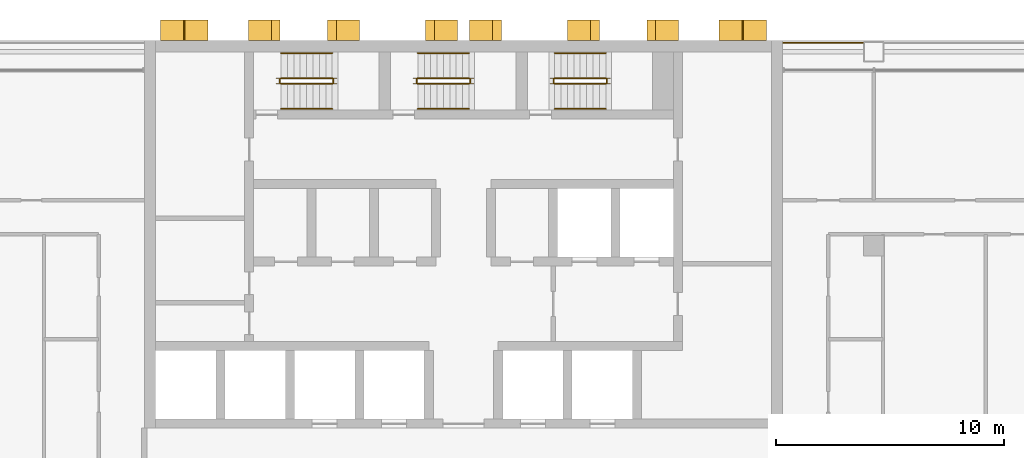
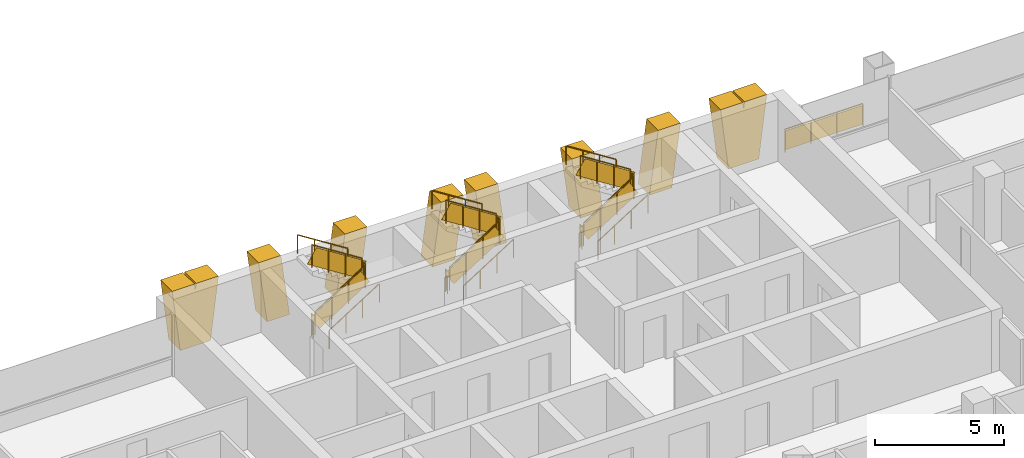
# One storey, part 17 of 18: 19 railings, 8 shading devices.
"""IFC4 building model written with IfcOpenShell, lengths in metres."""

from ifc_helpers import new_model, si_unit, direction, frame, origin, origin_2d, place, context, subcontext, project, spatial, polyline, rectangle, circle, outline, extrude, material, layer, layer_set, type_object, element, save


model = new_model("IFC4")

# Units and contexts
model_context = context("Model", 3, precision=1e-05, world=origin(), true_north=direction((0.0, 1.0)))
body_context = subcontext(model_context, "Body", "Model", "MODEL_VIEW")
ifc_project = project(units=[si_unit("LENGTHUNIT", "METRE"), si_unit("AREAUNIT", "SQUARE_METRE"), si_unit("VOLUMEUNIT", "CUBIC_METRE"), si_unit("PLANEANGLEUNIT", "RADIAN"), si_unit("MASSUNIT", "GRAM", prefix="KILO")], contexts=[model_context])

# Site, building, storey
site_placement = place(None, origin())
site = spatial("IfcSite", under=ifc_project, at=site_placement, CompositionType="ELEMENT")
building_placement = place(site_placement, origin())
building = spatial("IfcBuilding", under=site, at=building_placement, Name="Vidyagriha Tower", CompositionType="ELEMENT")
storey_placement = place(building_placement, frame((0.0, 0.0, 90.300048828125)))
storey = spatial("IfcBuildingStorey", under=building, at=storey_placement, Name="L23", CompositionType="ELEMENT", Elevation=90.300048828125)

# Shading devices
ifc_material_1 = material(Name="Precast concrete C40/50 with brick facing", Category="concrete")
ifc_layer_1 = layer(ifc_material_1, 1.0)
ifc_layer_set_1 = layer_set([ifc_layer_1], Name="Precast concrete C40/50 with brick facing")
shading_device_type_1 = type_object("IfcShadingDeviceType", Name="Brick-faced rear rib arm leaning 8 degrees", PredefinedType="USERDEFINED", material=ifc_layer_set_1)
shading_device_1_placement = place(storey_placement, frame((5.95703125, 20.449951171875, 0.0), z_axis=(0.0, 0.0, 1.0), x_axis=(-1.0, 0.0, 0.0)))
element("IfcShadingDevice", 1, at=shading_device_1_placement, inside=storey, type_object=shading_device_type_1, Name="Rear rib arm L23 R08.2a", ObjectType="BLADE FIN", PredefinedType="USERDEFINED", context=body_context, shape_type="SweptSolid", body=[
    extrude(outline(polyline([(0.0, 0.0), (1.0, 0.0), (1.3857421875, 2.919921875), (0.3857421875, 2.919921875), (0.0, 0.0)])), frame((0.0, 0.449951171875, 0.0), z_axis=(0.0, -1.0, 0.0), x_axis=(1.0, 0.0, 0.0)), (0.0, 0.0, 1.0), 0.89990234375),
])
shading_device_2_placement = place(storey_placement, frame((9.4287109375, 20.449951171875, 0.0), z_axis=(0.0, 0.0, 1.0), x_axis=(-1.0, 0.0, 0.0)))
element("IfcShadingDevice", 2, at=shading_device_2_placement, inside=storey, type_object=shading_device_type_1, Name="Rear rib arm L23 R08.2b", ObjectType="BLADE FIN", PredefinedType="USERDEFINED", context=body_context, shape_type="SweptSolid", body=[
    extrude(outline(polyline([(0.3857421875, 0.0), (1.3857421875, 0.0), (1.0, 2.919921875), (0.0, 2.919921875), (0.3857421875, 0.0)])), frame((0.0, 0.449951171875, 0.0), z_axis=(0.0, -1.0, 0.0), x_axis=(1.0, 0.0, 0.0)), (0.0, 0.0, 1.0), 0.89990234375),
])
shading_device_3_placement = place(storey_placement, frame((1.656982421875, 20.449951171875, 0.0), z_axis=(0.0, 0.0, 1.0), x_axis=(-1.0, 0.0, 0.0)))
element("IfcShadingDevice", 3, at=shading_device_3_placement, inside=storey, type_object=shading_device_type_1, Name="Rear rib arm L23 R08.3a", ObjectType="BLADE FIN", PredefinedType="USERDEFINED", context=body_context, shape_type="SweptSolid", body=[
    extrude(outline(polyline([(0.0, 0.0), (1.0, 0.0), (1.3857421875, 2.919921875), (0.3857421875, 2.919921875), (0.0, 0.0)])), frame((0.0, 0.449951171875, 0.0), z_axis=(0.0, -1.0, 0.0), x_axis=(1.0, 0.0, 0.0)), (0.0, 0.0, 1.0), 0.89990234375),
])
shading_device_4_placement = place(storey_placement, frame((-0.271484375, 20.449951171875, 0.0), z_axis=(0.0, 0.0, 1.0), x_axis=(-1.0, 0.0, 0.0)))
element("IfcShadingDevice", 4, at=shading_device_4_placement, inside=storey, type_object=shading_device_type_1, Name="Rear rib arm L23 R08.3b", ObjectType="BLADE FIN", PredefinedType="USERDEFINED", context=body_context, shape_type="SweptSolid", body=[
    extrude(outline(polyline([(0.3857421875, 0.0), (1.3857421875, 0.0), (1.0, 2.919921875), (0.0, 2.919921875), (0.3857421875, 0.0)])), frame((0.0, 0.449951171875, 0.0), z_axis=(0.0, -1.0, 0.0), x_axis=(1.0, 0.0, 0.0)), (0.0, 0.0, 1.0), 0.89990234375),
])
shading_device_5_placement = place(storey_placement, frame((-8.04296875, 20.449951171875, 0.0), z_axis=(0.0, 0.0, 1.0), x_axis=(-1.0, 0.0, 0.0)))
element("IfcShadingDevice", 5, at=shading_device_5_placement, inside=storey, type_object=shading_device_type_1, Name="Rear rib arm L23 R08.4a", ObjectType="BLADE FIN", PredefinedType="USERDEFINED", context=body_context, shape_type="SweptSolid", body=[
    extrude(outline(polyline([(0.0, 0.0), (1.0, 0.0), (1.3857421875, 2.919921875), (0.3857421875, 2.919921875), (0.0, 0.0)])), frame((0.0, 0.449951171875, 0.0), z_axis=(0.0, -1.0, 0.0), x_axis=(1.0, 0.0, 0.0)), (0.0, 0.0, 1.0), 0.89990234375),
])
shading_device_6_placement = place(storey_placement, frame((-4.5712890625, 20.449951171875, 0.0), z_axis=(0.0, 0.0, 1.0), x_axis=(-1.0, 0.0, 0.0)))
element("IfcShadingDevice", 6, at=shading_device_6_placement, inside=storey, type_object=shading_device_type_1, Name="Rear rib arm L23 R08.4b", ObjectType="BLADE FIN", PredefinedType="USERDEFINED", context=body_context, shape_type="SweptSolid", body=[
    extrude(outline(polyline([(0.3857421875, 0.0), (1.3857421875, 0.0), (1.0, 2.919921875), (0.0, 2.919921875), (0.3857421875, 0.0)])), frame((0.0, 0.449951171875, 0.0), z_axis=(0.0, -1.0, 0.0), x_axis=(1.0, 0.0, 0.0)), (0.0, 0.0, 1.0), 0.89990234375),
])
ifc_material_2 = material(Name="Precast concrete C40/50 with brick facing", Category="concrete")
ifc_layer_2 = layer(ifc_material_2, 1.0)
ifc_layer_set_2 = layer_set([ifc_layer_2], Name="Precast concrete C40/50 with brick facing")
shading_device_type_2 = type_object("IfcShadingDeviceType", Name="Brick-faced rear rib forking 8 degrees", PredefinedType="USERDEFINED", material=ifc_layer_set_2)
for number, where, z_axis, x_axis, name in (
    (7, (13.28564453125, 20.449951171875, 0.0), (0.0, 0.0, 1.0), (-1.0, 0.0, 0.0), "Rear rib fork L23 R08.1a"),
    (8, (-11.21435546875, 20.449951171875, 0.0), (0.0, 0.0, 1.0), (-1.0, 0.0, 0.0), "Rear rib fork L23 R08.5a"),
):
    element("IfcShadingDevice", number, at=place(storey_placement, frame(where, z_axis=z_axis, x_axis=x_axis)), inside=storey, type_object=shading_device_type_2, Name=name, ObjectType="BLADE FIN", PredefinedType="USERDEFINED", context=body_context, shape_type="SweptSolid", body=[
        extrude(outline(polyline([(0.357177734375, 0.0), (1.71435546875, 0.0), (2.0712890625, 2.919921875), (1.0712890625, 2.919921875), (1.03564453125, 2.6279296875), (1.0, 2.919921875), (0.0, 2.919921875), (0.357177734375, 0.0)])), frame((0.0, 0.449951171875, 0.0), z_axis=(0.0, -1.0, 0.0), x_axis=(1.0, 0.0, 0.0)), (0.0, 0.0, 1.0), 0.89990234375),
    ])

# Railings
ifc_material_3 = material(Name="Steel ASTM A500 Grade C black painted", Category="steel")
railing_type_1 = type_object("IfcRailingType", Name="Gallery guard 1100", PredefinedType="GUARDRAIL", material=ifc_material_3)
railing_1_placement = place(storey_placement, frame((14.030029296875, 19.89990234375, 0.0)))
element("IfcRailing", 9, at=railing_1_placement, inside=storey, type_object=railing_type_1, Name="Gallery guard L23 9", PredefinedType="GUARDRAIL", context=body_context, shape_type="SweptSolid", body=[
    extrude(circle(Radius=0.02490234375, at=origin_2d()), frame((0.0, 0.0, 1.0751953125), z_axis=(1.0, 0.0, 0.0), x_axis=(0.0, 1.0, 0.0)), (0.0, 0.0, 1.0), 3.489990234375),
    extrude(circle(Radius=0.02001953125, at=origin_2d()), origin(), (0.0, 0.0, 1.0), 1.050048828125),
    extrude(circle(Radius=0.02001953125, at=origin_2d()), frame((1.163330078125, 0.0, 0.0)), (0.0, 0.0, 1.0), 1.050048828125),
    extrude(circle(Radius=0.02001953125, at=origin_2d()), frame((2.32666015625, 0.0, 0.0)), (0.0, 0.0, 1.0), 1.050048828125),
    extrude(circle(Radius=0.02001953125, at=origin_2d()), frame((3.489990234375, 0.0, 0.0)), (0.0, 0.0, 1.0), 1.050048828125),
    extrude(rectangle(XDim=0.010009765625, YDim=0.900146484375, at=origin_2d()), frame((0.0, 0.0, 0.550048828125), z_axis=(1.0, 0.0, 0.0), x_axis=(0.0, 1.0, 0.0)), (0.0, 0.0, 1.0), 3.489990234375),
])
ifc_material_4 = material(Name="Steel ASTM A500 Grade C", Category="steel")
railing_type_2 = type_object("IfcRailingType", Name="Stair guard 1100 mm, steel balustrade", PredefinedType="GUARDRAIL", material=ifc_material_4)
railing_2_placement = place(storey_placement, frame((-8.0, 18.10009765625, 0.177734375)))
element("IfcRailing", 10, at=railing_2_placement, inside=storey, type_object=railing_type_2, Name="L23 ST1 stair guard 1", PredefinedType="GUARDRAIL", context=body_context, shape_type="SweptSolid", body=[
    extrude(circle(Radius=0.02392578125, at=origin_2d()), frame((0.0, 0.0, 1.076171875), z_axis=(0.8442293374, 0.0, 0.53598211339), x_axis=(0.0, 1.0, 0.0)), (0.0, 0.0, 1.0), 2.6533203125),
    extrude(circle(Radius=0.02099609375, at=origin_2d()), origin(), (0.0, 0.0, 1.0), 1.052001953125),
    extrude(circle(Radius=0.02099609375, at=origin_2d()), frame((0.74658203125, 0.0, 0.47412109375)), (0.0, 0.0, 1.0), 1.052001953125),
    extrude(circle(Radius=0.02099609375, at=origin_2d()), frame((1.493408203125, 0.0, 0.947998046875)), (0.0, 0.0, 1.0), 1.052001953125),
    extrude(circle(Radius=0.02099609375, at=origin_2d()), frame((2.239990234375, 0.0, 1.422119140625)), (0.0, 0.0, 1.0), 1.052001953125),
    extrude(rectangle(XDim=0.010009765625, YDim=0.761474609375, at=origin_2d()), frame((0.0, 0.0, 0.551025390625), z_axis=(0.8442293374, 0.0, 0.53598211339), x_axis=(0.0, 1.0, 0.0)), (0.0, 0.0, 1.0), 2.6533203125),
])
railing_3_placement = place(storey_placement, frame((-5.7099609375, 18.14990234375, 1.599853515625)))
element("IfcRailing", 11, at=railing_3_placement, inside=storey, type_object=railing_type_2, Name="L23 ST1 stair guard 2", PredefinedType="GUARDRAIL", context=body_context, shape_type="SweptSolid", body=[
    extrude(circle(Radius=0.02392578125, at=origin_2d()), frame((0.0, 0.0, 1.076171875), z_axis=(0.0, 1.0, 0.0), x_axis=(-1.0, 0.0, 0.0)), (0.0, 0.0, 1.0), 0.150146484375),
    extrude(circle(Radius=0.02099609375, at=origin_2d()), origin(), (0.0, 0.0, 1.0), 1.052001953125),
    extrude(circle(Radius=0.02099609375, at=origin_2d()), frame((0.0, 0.150146484375, 0.0)), (0.0, 0.0, 1.0), 1.052001953125),
    extrude(rectangle(XDim=0.010009765625, YDim=0.902099609375, at=origin_2d()), frame((0.0, 0.0, 0.551025390625), z_axis=(0.0, 1.0, 0.0), x_axis=(-1.0, 0.0, 0.0)), (0.0, 0.0, 1.0), 0.150146484375),
])
railing_4_placement = place(storey_placement, frame((-5.760009765625, 18.35009765625, 1.77783203125)))
element("IfcRailing", 12, at=railing_4_placement, inside=storey, type_object=railing_type_2, Name="L23 ST1 stair guard 3", PredefinedType="GUARDRAIL", context=body_context, shape_type="SweptSolid", body=[
    extrude(circle(Radius=0.02392578125, at=origin_2d()), frame((0.0, 0.0, 1.076171875), z_axis=(-0.8442293374, 0.0, 0.53598211339), x_axis=(0.0, -1.0, 0.0)), (0.0, 0.0, 1.0), 2.6533203125),
    extrude(circle(Radius=0.02099609375, at=origin_2d()), origin(), (0.0, 0.0, 1.0), 1.052001953125),
    extrude(circle(Radius=0.02099609375, at=origin_2d()), frame((-0.74658203125, 0.0, 0.47412109375)), (0.0, 0.0, 1.0), 1.052001953125),
    extrude(circle(Radius=0.02099609375, at=origin_2d()), frame((-1.493408203125, 0.0, 0.947998046875)), (0.0, 0.0, 1.0), 1.052001953125),
    extrude(circle(Radius=0.02099609375, at=origin_2d()), frame((-2.239990234375, 0.0, 1.422119140625)), (0.0, 0.0, 1.0), 1.052001953125),
    extrude(rectangle(XDim=0.010009765625, YDim=0.761474609375, at=origin_2d()), frame((0.0, 0.0, 0.551025390625), z_axis=(-0.8442293374, 0.0, 0.53598211339), x_axis=(0.0, -1.0, 0.0)), (0.0, 0.0, 1.0), 2.6533203125),
])
railing_5_placement = place(storey_placement, frame((-8.050048828125, 18.14990234375, 0.0)))
element("IfcRailing", 13, at=railing_5_placement, inside=storey, type_object=railing_type_2, Name="L23 ST1 stair guard 4", PredefinedType="GUARDRAIL", context=body_context, shape_type="SweptSolid", body=[
    extrude(circle(Radius=0.02392578125, at=origin_2d()), frame((0.0, 0.0, 1.076171875), z_axis=(0.0, 1.0, 0.0), x_axis=(-1.0, 0.0, 0.0)), (0.0, 0.0, 1.0), 0.150146484375),
    extrude(circle(Radius=0.02099609375, at=origin_2d()), origin(), (0.0, 0.0, 1.0), 1.052001953125),
    extrude(circle(Radius=0.02099609375, at=origin_2d()), frame((0.0, 0.150146484375, 0.0)), (0.0, 0.0, 1.0), 1.052001953125),
    extrude(rectangle(XDim=0.010009765625, YDim=0.902099609375, at=origin_2d()), frame((0.0, 0.0, 0.551025390625), z_axis=(0.0, 1.0, 0.0), x_axis=(-1.0, 0.0, 0.0)), (0.0, 0.0, 1.0), 0.150146484375),
])
railing_6_placement = place(storey_placement, frame((-2.0, 18.10009765625, 0.177734375)))
element("IfcRailing", 14, at=railing_6_placement, inside=storey, type_object=railing_type_2, Name="L23 ST2 stair guard 1", PredefinedType="GUARDRAIL", context=body_context, shape_type="SweptSolid", body=[
    extrude(circle(Radius=0.02392578125, at=origin_2d()), frame((0.0, 0.0, 1.076171875), z_axis=(0.8442293374, 0.0, 0.53598211339), x_axis=(0.0, 1.0, 0.0)), (0.0, 0.0, 1.0), 2.6533203125),
    extrude(circle(Radius=0.02099609375, at=origin_2d()), origin(), (0.0, 0.0, 1.0), 1.052001953125),
    extrude(circle(Radius=0.02099609375, at=origin_2d()), frame((0.74658203125, 0.0, 0.47412109375)), (0.0, 0.0, 1.0), 1.052001953125),
    extrude(circle(Radius=0.02099609375, at=origin_2d()), frame((1.493408203125, 0.0, 0.947998046875)), (0.0, 0.0, 1.0), 1.052001953125),
    extrude(circle(Radius=0.02099609375, at=origin_2d()), frame((2.239990234375, 0.0, 1.422119140625)), (0.0, 0.0, 1.0), 1.052001953125),
    extrude(rectangle(XDim=0.010009765625, YDim=0.761474609375, at=origin_2d()), frame((0.0, 0.0, 0.551025390625), z_axis=(0.8442293374, 0.0, 0.53598211339), x_axis=(0.0, 1.0, 0.0)), (0.0, 0.0, 1.0), 2.6533203125),
])
railing_7_placement = place(storey_placement, frame((0.2900390625, 18.14990234375, 1.599853515625)))
element("IfcRailing", 15, at=railing_7_placement, inside=storey, type_object=railing_type_2, Name="L23 ST2 stair guard 2", PredefinedType="GUARDRAIL", context=body_context, shape_type="SweptSolid", body=[
    extrude(circle(Radius=0.02392578125, at=origin_2d()), frame((0.0, 0.0, 1.076171875), z_axis=(0.0, 1.0, 0.0), x_axis=(-1.0, 0.0, 0.0)), (0.0, 0.0, 1.0), 0.150146484375),
    extrude(circle(Radius=0.02099609375, at=origin_2d()), origin(), (0.0, 0.0, 1.0), 1.052001953125),
    extrude(circle(Radius=0.02099609375, at=origin_2d()), frame((0.0, 0.150146484375, 0.0)), (0.0, 0.0, 1.0), 1.052001953125),
    extrude(rectangle(XDim=0.010009765625, YDim=0.902099609375, at=origin_2d()), frame((0.0, 0.0, 0.551025390625), z_axis=(0.0, 1.0, 0.0), x_axis=(-1.0, 0.0, 0.0)), (0.0, 0.0, 1.0), 0.150146484375),
])
railing_8_placement = place(storey_placement, frame((0.239990234375, 18.35009765625, 1.77783203125)))
element("IfcRailing", 16, at=railing_8_placement, inside=storey, type_object=railing_type_2, Name="L23 ST2 stair guard 3", PredefinedType="GUARDRAIL", context=body_context, shape_type="SweptSolid", body=[
    extrude(circle(Radius=0.02392578125, at=origin_2d()), frame((0.0, 0.0, 1.076171875), z_axis=(-0.8442293374, 0.0, 0.53598211339), x_axis=(0.0, -1.0, 0.0)), (0.0, 0.0, 1.0), 2.6533203125),
    extrude(circle(Radius=0.02099609375, at=origin_2d()), origin(), (0.0, 0.0, 1.0), 1.052001953125),
    extrude(circle(Radius=0.02099609375, at=origin_2d()), frame((-0.74658203125, 0.0, 0.47412109375)), (0.0, 0.0, 1.0), 1.052001953125),
    extrude(circle(Radius=0.02099609375, at=origin_2d()), frame((-1.493408203125, 0.0, 0.947998046875)), (0.0, 0.0, 1.0), 1.052001953125),
    extrude(circle(Radius=0.02099609375, at=origin_2d()), frame((-2.239990234375, 0.0, 1.422119140625)), (0.0, 0.0, 1.0), 1.052001953125),
    extrude(rectangle(XDim=0.010009765625, YDim=0.761474609375, at=origin_2d()), frame((0.0, 0.0, 0.551025390625), z_axis=(-0.8442293374, 0.0, 0.53598211339), x_axis=(0.0, -1.0, 0.0)), (0.0, 0.0, 1.0), 2.6533203125),
])
railing_9_placement = place(storey_placement, frame((-2.050048828125, 18.14990234375, 0.0)))
element("IfcRailing", 17, at=railing_9_placement, inside=storey, type_object=railing_type_2, Name="L23 ST2 stair guard 4", PredefinedType="GUARDRAIL", context=body_context, shape_type="SweptSolid", body=[
    extrude(circle(Radius=0.02392578125, at=origin_2d()), frame((0.0, 0.0, 1.076171875), z_axis=(0.0, 1.0, 0.0), x_axis=(-1.0, 0.0, 0.0)), (0.0, 0.0, 1.0), 0.150146484375),
    extrude(circle(Radius=0.02099609375, at=origin_2d()), origin(), (0.0, 0.0, 1.0), 1.052001953125),
    extrude(circle(Radius=0.02099609375, at=origin_2d()), frame((0.0, 0.150146484375, 0.0)), (0.0, 0.0, 1.0), 1.052001953125),
    extrude(rectangle(XDim=0.010009765625, YDim=0.902099609375, at=origin_2d()), frame((0.0, 0.0, 0.551025390625), z_axis=(0.0, 1.0, 0.0), x_axis=(-1.0, 0.0, 0.0)), (0.0, 0.0, 1.0), 0.150146484375),
])
railing_10_placement = place(storey_placement, frame((4.0, 18.10009765625, 0.177734375)))
element("IfcRailing", 18, at=railing_10_placement, inside=storey, type_object=railing_type_2, Name="L23 ST3 stair guard 1", PredefinedType="GUARDRAIL", context=body_context, shape_type="SweptSolid", body=[
    extrude(circle(Radius=0.02392578125, at=origin_2d()), frame((0.0, 0.0, 1.076171875), z_axis=(0.8442293374, 0.0, 0.53598211339), x_axis=(0.0, 1.0, 0.0)), (0.0, 0.0, 1.0), 2.6533203125),
    extrude(circle(Radius=0.02099609375, at=origin_2d()), origin(), (0.0, 0.0, 1.0), 1.052001953125),
    extrude(circle(Radius=0.02099609375, at=origin_2d()), frame((0.74658203125, 0.0, 0.47412109375)), (0.0, 0.0, 1.0), 1.052001953125),
    extrude(circle(Radius=0.02099609375, at=origin_2d()), frame((1.493408203125, 0.0, 0.947998046875)), (0.0, 0.0, 1.0), 1.052001953125),
    extrude(circle(Radius=0.02099609375, at=origin_2d()), frame((2.239990234375, 0.0, 1.422119140625)), (0.0, 0.0, 1.0), 1.052001953125),
    extrude(rectangle(XDim=0.010009765625, YDim=0.761474609375, at=origin_2d()), frame((0.0, 0.0, 0.551025390625), z_axis=(0.8442293374, 0.0, 0.53598211339), x_axis=(0.0, 1.0, 0.0)), (0.0, 0.0, 1.0), 2.6533203125),
])
railing_11_placement = place(storey_placement, frame((6.2900390625, 18.14990234375, 1.599853515625)))
element("IfcRailing", 19, at=railing_11_placement, inside=storey, type_object=railing_type_2, Name="L23 ST3 stair guard 2", PredefinedType="GUARDRAIL", context=body_context, shape_type="SweptSolid", body=[
    extrude(circle(Radius=0.02392578125, at=origin_2d()), frame((0.0, 0.0, 1.076171875), z_axis=(0.0, 1.0, 0.0), x_axis=(-1.0, 0.0, 0.0)), (0.0, 0.0, 1.0), 0.150146484375),
    extrude(circle(Radius=0.02099609375, at=origin_2d()), origin(), (0.0, 0.0, 1.0), 1.052001953125),
    extrude(circle(Radius=0.02099609375, at=origin_2d()), frame((0.0, 0.150146484375, 0.0)), (0.0, 0.0, 1.0), 1.052001953125),
    extrude(rectangle(XDim=0.010009765625, YDim=0.902099609375, at=origin_2d()), frame((0.0, 0.0, 0.551025390625), z_axis=(0.0, 1.0, 0.0), x_axis=(-1.0, 0.0, 0.0)), (0.0, 0.0, 1.0), 0.150146484375),
])
railing_12_placement = place(storey_placement, frame((6.239990234375, 18.35009765625, 1.77783203125)))
element("IfcRailing", 20, at=railing_12_placement, inside=storey, type_object=railing_type_2, Name="L23 ST3 stair guard 3", PredefinedType="GUARDRAIL", context=body_context, shape_type="SweptSolid", body=[
    extrude(circle(Radius=0.02392578125, at=origin_2d()), frame((0.0, 0.0, 1.076171875), z_axis=(-0.8442293374, 0.0, 0.53598211339), x_axis=(0.0, -1.0, 0.0)), (0.0, 0.0, 1.0), 2.6533203125),
    extrude(circle(Radius=0.02099609375, at=origin_2d()), origin(), (0.0, 0.0, 1.0), 1.052001953125),
    extrude(circle(Radius=0.02099609375, at=origin_2d()), frame((-0.74658203125, 0.0, 0.47412109375)), (0.0, 0.0, 1.0), 1.052001953125),
    extrude(circle(Radius=0.02099609375, at=origin_2d()), frame((-1.493408203125, 0.0, 0.947998046875)), (0.0, 0.0, 1.0), 1.052001953125),
    extrude(circle(Radius=0.02099609375, at=origin_2d()), frame((-2.239990234375, 0.0, 1.422119140625)), (0.0, 0.0, 1.0), 1.052001953125),
    extrude(rectangle(XDim=0.010009765625, YDim=0.761474609375, at=origin_2d()), frame((0.0, 0.0, 0.551025390625), z_axis=(-0.8442293374, 0.0, 0.53598211339), x_axis=(0.0, -1.0, 0.0)), (0.0, 0.0, 1.0), 2.6533203125),
])
railing_13_placement = place(storey_placement, frame((3.949951171875, 18.14990234375, 0.0)))
element("IfcRailing", 21, at=railing_13_placement, inside=storey, type_object=railing_type_2, Name="L23 ST3 stair guard 4", PredefinedType="GUARDRAIL", context=body_context, shape_type="SweptSolid", body=[
    extrude(circle(Radius=0.02392578125, at=origin_2d()), frame((0.0, 0.0, 1.076171875), z_axis=(0.0, 1.0, 0.0), x_axis=(-1.0, 0.0, 0.0)), (0.0, 0.0, 1.0), 0.150146484375),
    extrude(circle(Radius=0.02099609375, at=origin_2d()), origin(), (0.0, 0.0, 1.0), 1.052001953125),
    extrude(circle(Radius=0.02099609375, at=origin_2d()), frame((0.0, 0.150146484375, 0.0)), (0.0, 0.0, 1.0), 1.052001953125),
    extrude(rectangle(XDim=0.010009765625, YDim=0.902099609375, at=origin_2d()), frame((0.0, 0.0, 0.551025390625), z_axis=(0.0, 1.0, 0.0), x_axis=(-1.0, 0.0, 0.0)), (0.0, 0.0, 1.0), 0.150146484375),
])
ifc_material_5 = material(Name="Steel ASTM A500 Grade C", Category="steel")
railing_type_3 = type_object("IfcRailingType", Name="Stair handrail 900 mm, steel", PredefinedType="HANDRAIL", material=ifc_material_5)
railing_14_placement = place(storey_placement, frame((-8.0, 17.0, 0.177734375)))
element("IfcRailing", 22, at=railing_14_placement, inside=storey, type_object=railing_type_3, Name="L23 ST1 stair handrail 1", PredefinedType="HANDRAIL", context=body_context, shape_type="SweptSolid", body=[
    extrude(circle(Radius=0.02392578125, at=origin_2d()), frame((0.0, 0.0, 0.8759765625), z_axis=(0.8442293374, 0.0, 0.53598211339), x_axis=(0.0, 1.0, 0.0)), (0.0, 0.0, 1.0), 2.6533203125),
    extrude(circle(Radius=0.02099609375, at=origin_2d()), origin(), (0.0, 0.0, 1.0), 0.851806640625),
    extrude(circle(Radius=0.02099609375, at=origin_2d()), frame((0.74658203125, 0.0, 0.47412109375)), (0.0, 0.0, 1.0), 0.851806640625),
    extrude(circle(Radius=0.02099609375, at=origin_2d()), frame((1.493408203125, 0.0, 0.947998046875)), (0.0, 0.0, 1.0), 0.851806640625),
    extrude(circle(Radius=0.02099609375, at=origin_2d()), frame((2.239990234375, 0.0, 1.422119140625)), (0.0, 0.0, 1.0), 0.851806640625),
])
railing_15_placement = place(storey_placement, frame((-5.760009765625, 19.449951171875, 1.77783203125)))
element("IfcRailing", 23, at=railing_15_placement, inside=storey, type_object=railing_type_3, Name="L23 ST1 stair handrail 2", PredefinedType="HANDRAIL", context=body_context, shape_type="SweptSolid", body=[
    extrude(circle(Radius=0.02392578125, at=origin_2d()), frame((0.0, 0.0, 0.8759765625), z_axis=(-0.8442293374, 0.0, 0.53598211339), x_axis=(0.0, -1.0, 0.0)), (0.0, 0.0, 1.0), 2.6533203125),
    extrude(circle(Radius=0.02099609375, at=origin_2d()), origin(), (0.0, 0.0, 1.0), 0.851806640625),
    extrude(circle(Radius=0.02099609375, at=origin_2d()), frame((-0.74658203125, 0.0, 0.47412109375)), (0.0, 0.0, 1.0), 0.851806640625),
    extrude(circle(Radius=0.02099609375, at=origin_2d()), frame((-1.493408203125, 0.0, 0.947998046875)), (0.0, 0.0, 1.0), 0.851806640625),
    extrude(circle(Radius=0.02099609375, at=origin_2d()), frame((-2.239990234375, 0.0, 1.422119140625)), (0.0, 0.0, 1.0), 0.851806640625),
])
railing_16_placement = place(storey_placement, frame((-2.0, 17.0, 0.177734375)))
element("IfcRailing", 24, at=railing_16_placement, inside=storey, type_object=railing_type_3, Name="L23 ST2 stair handrail 1", PredefinedType="HANDRAIL", context=body_context, shape_type="SweptSolid", body=[
    extrude(circle(Radius=0.02392578125, at=origin_2d()), frame((0.0, 0.0, 0.8759765625), z_axis=(0.8442293374, 0.0, 0.53598211339), x_axis=(0.0, 1.0, 0.0)), (0.0, 0.0, 1.0), 2.6533203125),
    extrude(circle(Radius=0.02099609375, at=origin_2d()), origin(), (0.0, 0.0, 1.0), 0.851806640625),
    extrude(circle(Radius=0.02099609375, at=origin_2d()), frame((0.74658203125, 0.0, 0.47412109375)), (0.0, 0.0, 1.0), 0.851806640625),
    extrude(circle(Radius=0.02099609375, at=origin_2d()), frame((1.493408203125, 0.0, 0.947998046875)), (0.0, 0.0, 1.0), 0.851806640625),
    extrude(circle(Radius=0.02099609375, at=origin_2d()), frame((2.239990234375, 0.0, 1.422119140625)), (0.0, 0.0, 1.0), 0.851806640625),
])
railing_17_placement = place(storey_placement, frame((0.239990234375, 19.449951171875, 1.77783203125)))
element("IfcRailing", 25, at=railing_17_placement, inside=storey, type_object=railing_type_3, Name="L23 ST2 stair handrail 2", PredefinedType="HANDRAIL", context=body_context, shape_type="SweptSolid", body=[
    extrude(circle(Radius=0.02392578125, at=origin_2d()), frame((0.0, 0.0, 0.8759765625), z_axis=(-0.8442293374, 0.0, 0.53598211339), x_axis=(0.0, -1.0, 0.0)), (0.0, 0.0, 1.0), 2.6533203125),
    extrude(circle(Radius=0.02099609375, at=origin_2d()), origin(), (0.0, 0.0, 1.0), 0.851806640625),
    extrude(circle(Radius=0.02099609375, at=origin_2d()), frame((-0.74658203125, 0.0, 0.47412109375)), (0.0, 0.0, 1.0), 0.851806640625),
    extrude(circle(Radius=0.02099609375, at=origin_2d()), frame((-1.493408203125, 0.0, 0.947998046875)), (0.0, 0.0, 1.0), 0.851806640625),
    extrude(circle(Radius=0.02099609375, at=origin_2d()), frame((-2.239990234375, 0.0, 1.422119140625)), (0.0, 0.0, 1.0), 0.851806640625),
])
railing_18_placement = place(storey_placement, frame((4.0, 17.0, 0.177734375)))
element("IfcRailing", 26, at=railing_18_placement, inside=storey, type_object=railing_type_3, Name="L23 ST3 stair handrail 1", PredefinedType="HANDRAIL", context=body_context, shape_type="SweptSolid", body=[
    extrude(circle(Radius=0.02392578125, at=origin_2d()), frame((0.0, 0.0, 0.8759765625), z_axis=(0.8442293374, 0.0, 0.53598211339), x_axis=(0.0, 1.0, 0.0)), (0.0, 0.0, 1.0), 2.6533203125),
    extrude(circle(Radius=0.02099609375, at=origin_2d()), origin(), (0.0, 0.0, 1.0), 0.851806640625),
    extrude(circle(Radius=0.02099609375, at=origin_2d()), frame((0.74658203125, 0.0, 0.47412109375)), (0.0, 0.0, 1.0), 0.851806640625),
    extrude(circle(Radius=0.02099609375, at=origin_2d()), frame((1.493408203125, 0.0, 0.947998046875)), (0.0, 0.0, 1.0), 0.851806640625),
    extrude(circle(Radius=0.02099609375, at=origin_2d()), frame((2.239990234375, 0.0, 1.422119140625)), (0.0, 0.0, 1.0), 0.851806640625),
])
railing_19_placement = place(storey_placement, frame((6.239990234375, 19.449951171875, 1.77783203125)))
element("IfcRailing", 27, at=railing_19_placement, inside=storey, type_object=railing_type_3, Name="L23 ST3 stair handrail 2", PredefinedType="HANDRAIL", context=body_context, shape_type="SweptSolid", body=[
    extrude(circle(Radius=0.02392578125, at=origin_2d()), frame((0.0, 0.0, 0.8759765625), z_axis=(-0.8442293374, 0.0, 0.53598211339), x_axis=(0.0, -1.0, 0.0)), (0.0, 0.0, 1.0), 2.6533203125),
    extrude(circle(Radius=0.02099609375, at=origin_2d()), origin(), (0.0, 0.0, 1.0), 0.851806640625),
    extrude(circle(Radius=0.02099609375, at=origin_2d()), frame((-0.74658203125, 0.0, 0.47412109375)), (0.0, 0.0, 1.0), 0.851806640625),
    extrude(circle(Radius=0.02099609375, at=origin_2d()), frame((-1.493408203125, 0.0, 0.947998046875)), (0.0, 0.0, 1.0), 0.851806640625),
    extrude(circle(Radius=0.02099609375, at=origin_2d()), frame((-2.239990234375, 0.0, 1.422119140625)), (0.0, 0.0, 1.0), 0.851806640625),
])

save(model, "model.ifc")
